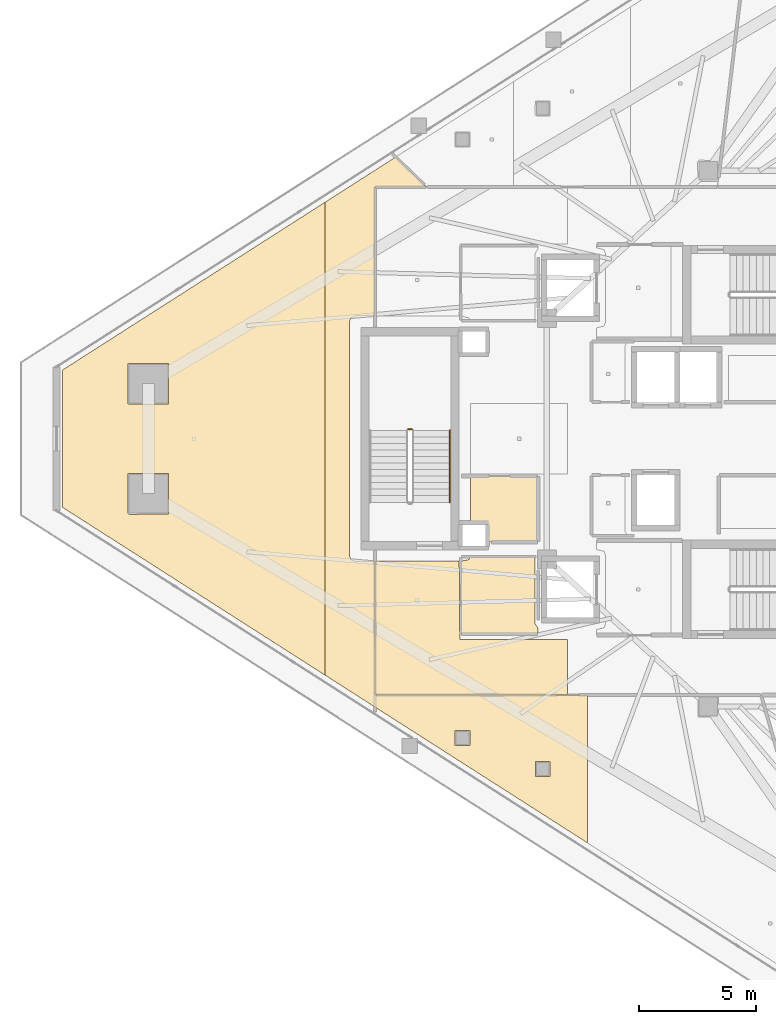
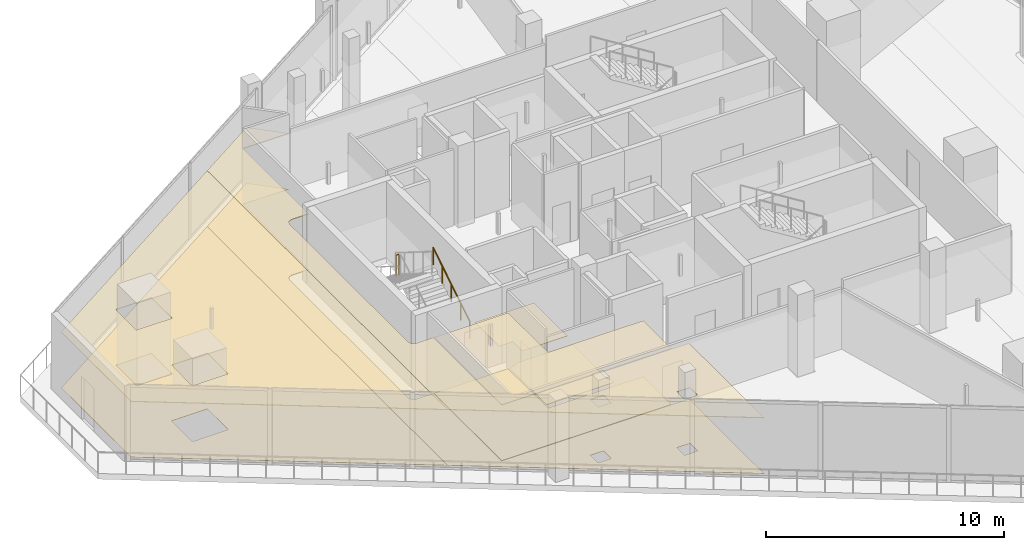
# One storey, part 27 of 31: 8 coverings, 2 railings.
"""IFC4 building model written with IfcOpenShell, lengths in metres."""

from ifc_helpers import new_model, si_unit, direction, frame, origin, origin_2d, place, context, subcontext, project, spatial, polyline, circle, outline, extrude, material, layer, layer_set, type_object, element, save


model = new_model("IFC4")

# Units and contexts
model_context = context("Model", 3, precision=1e-05, world=origin(), true_north=direction((0.0, 1.0)))
body_context = subcontext(model_context, "Body", "Model", "MODEL_VIEW")
ifc_project = project(units=[si_unit("LENGTHUNIT", "METRE"), si_unit("AREAUNIT", "SQUARE_METRE"), si_unit("VOLUMEUNIT", "CUBIC_METRE"), si_unit("PLANEANGLEUNIT", "RADIAN"), si_unit("MASSUNIT", "GRAM", prefix="KILO")], contexts=[model_context])

# Site, building, storey
site_placement = place(None, origin())
site = spatial("IfcSite", under=ifc_project, at=site_placement, CompositionType="ELEMENT")
building_placement = place(site_placement, origin())
building = spatial("IfcBuilding", under=site, at=building_placement, Name="Qorvath Tower", CompositionType="ELEMENT")
storey_placement = place(building_placement, frame((0.0, 0.0, 264.0)))
storey = spatial("IfcBuildingStorey", under=building, at=storey_placement, Name="L61", CompositionType="ELEMENT", Elevation=264.0)

# Coverings
ifc_material_1 = material(Name="Acoustic mineral fibre ceiling tile", Category="gypsum")
ifc_layer_1 = layer(ifc_material_1, 0.030029296875)
ifc_layer_set_1 = layer_set([ifc_layer_1], Name="COV-CEIL")
covering_type_1 = type_object("IfcCoveringType", Name="COV-CEIL", PredefinedType="CEILING", material=ifc_layer_set_1)
covering_1_placement = place(storey_placement, frame((0.0, 0.0, 2.85009765625)))
element("IfcCovering", 1, at=covering_1_placement, inside=storey, type_object=covering_type_1, Name="L61 Suspended Acoustic Ceiling 010", PredefinedType="CEILING", context=body_context, shape_type="SweptSolid", body=[
    extrude(outline(polyline([(-34.22509765625, -8.580078125), (-34.251220703125, -5.239990234375), (-37.844970703125, -5.239990234375), (-37.844970703125, -10.945068359375), (-29.614990234375, -10.945068359375), (-29.614990234375, -8.5771484375), (-34.22509765625, -8.580078125)])), origin(), (0.0, 0.0, 1.0), 0.030029296875),
])
covering_2_placement = place(storey_placement, frame((0.0, 0.0, 2.85009765625)))
element("IfcCovering", 2, at=covering_2_placement, inside=storey, type_object=covering_type_1, Name="L61 Suspended Acoustic Ceiling 013", PredefinedType="CEILING", context=body_context, shape_type="SweptSolid", body=[
    extrude(outline(polyline([(-51.216064453125, -2.934326171875), (-39.9921875, -10.10791015625), (-39.9921875, 10.10791015625), (-51.216064453125, 2.934326171875), (-51.216064453125, -2.934326171875)]), holes=[polyline([(-48.422607421875, -3.174560546875), (-48.405029296875, -1.482177734375), (-46.670166015625, -1.482177734375), (-46.670166015625, -3.217041015625), (-48.362548828125, -3.234619140625), (-48.422607421875, -3.174560546875)]), polyline([(-48.405029296875, 1.482177734375), (-48.405029296875, 3.217041015625), (-46.670166015625, 3.217041015625), (-46.670166015625, 1.482177734375), (-48.405029296875, 1.482177734375)])]), origin(), (0.0, 0.0, 1.0), 0.030029296875),
])
covering_3_placement = place(storey_placement, frame((0.0, 0.0, 2.85009765625)))
element("IfcCovering", 3, at=covering_3_placement, inside=storey, type_object=covering_type_1, Name="L61 Suspended Acoustic Ceiling 014", PredefinedType="CEILING", context=body_context, shape_type="SweptSolid", body=[
    extrude(outline(polyline([(-39.9921875, 10.10791015625), (-39.9921875, -10.10791015625), (-28.768310546875, -17.281494140625), (-28.768310546875, -10.96240234375), (-37.861572265625, -10.96142578125), (-37.863037109375, -5.239990234375), (-38.699951171875, -5.239990234375), (-38.876708984375, -5.166748046875), (-38.949951171875, -4.989990234375), (-38.949951171875, 4.989990234375), (-38.876708984375, 5.166748046875), (-38.699951171875, 5.239990234375), (-37.863037109375, 5.239990234375), (-37.861572265625, 10.761474609375), (-35.652587890625, 10.762939453125), (-36.97265625, 12.037841796875), (-39.9921875, 10.10791015625)]), holes=[polyline([(-30.99462890625, -14.441650390625), (-30.99462890625, -13.806884765625), (-30.35986328125, -13.806884765625), (-30.35986328125, -14.441650390625), (-30.99462890625, -14.441650390625)]), polyline([(-34.421630859375, -13.10986328125), (-34.421630859375, -12.47509765625), (-33.786865234375, -12.47509765625), (-33.786865234375, -13.10986328125), (-34.421630859375, -13.10986328125)])]), origin(), (0.0, 0.0, 1.0), 0.030029296875),
])
ifc_material_2 = material(Name="Low-VOC modular carpet tile", Category="textile")
ifc_layer_2 = layer(ifc_material_2, 0.014892578125)
ifc_layer_set_2 = layer_set([ifc_layer_2], Name="COV-FLOOR-CPT")
covering_type_2 = type_object("IfcCoveringType", Name="COV-FLOOR-CPT", PredefinedType="FLOORING", material=ifc_layer_set_2)
covering_4_placement = place(storey_placement, origin())
element("IfcCovering", 4, at=covering_4_placement, inside=storey, type_object=covering_type_2, Name="L61 Floor Finish 009", PredefinedType="FLOORING", context=body_context, shape_type="SweptSolid", body=[
    extrude(outline(polyline([(-30.885009765625, -4.4150390625), (-30.885009765625, -1.60498046875), (-33.760009765625, -1.60498046875), (-33.760009765625, -3.636962890625), (-33.08837890625, -3.638427734375), (-33.0869140625, -4.4150390625), (-30.885009765625, -4.4150390625)])), origin(), (0.0, 0.0, 1.0), 0.014892578125),
])
covering_5_placement = place(storey_placement, origin())
element("IfcCovering", 5, at=covering_5_placement, inside=storey, type_object=covering_type_2, Name="L61 Floor Finish 013", PredefinedType="FLOORING", context=body_context, shape_type="SweptSolid", body=[
    extrude(outline(polyline([(-51.216064453125, -2.934326171875), (-39.9921875, -10.10791015625), (-39.9921875, 10.10791015625), (-51.216064453125, 2.934326171875), (-51.216064453125, -2.934326171875)]), holes=[polyline([(-48.422607421875, -3.174560546875), (-48.405029296875, -1.482177734375), (-46.670166015625, -1.482177734375), (-46.670166015625, -3.217041015625), (-48.362548828125, -3.234619140625), (-48.422607421875, -3.174560546875)]), polyline([(-48.405029296875, 1.482177734375), (-48.405029296875, 3.217041015625), (-46.670166015625, 3.217041015625), (-46.670166015625, 1.482177734375), (-48.405029296875, 1.482177734375)])]), origin(), (0.0, 0.0, 1.0), 0.014892578125),
])
covering_6_placement = place(storey_placement, origin())
element("IfcCovering", 6, at=covering_6_placement, inside=storey, type_object=covering_type_2, Name="L61 Floor Finish 014", PredefinedType="FLOORING", context=body_context, shape_type="SweptSolid", body=[
    extrude(outline(polyline([(-39.9921875, 10.10791015625), (-39.9921875, -10.10791015625), (-28.768310546875, -17.281494140625), (-28.768310546875, -10.96240234375), (-37.861572265625, -10.96142578125), (-37.863037109375, -5.239990234375), (-38.699951171875, -5.239990234375), (-38.876708984375, -5.166748046875), (-38.949951171875, -4.989990234375), (-38.949951171875, 4.989990234375), (-38.876708984375, 5.166748046875), (-38.699951171875, 5.239990234375), (-37.863037109375, 5.239990234375), (-37.861572265625, 10.761474609375), (-35.652587890625, 10.762939453125), (-36.97265625, 12.037841796875), (-39.9921875, 10.10791015625)]), holes=[polyline([(-30.99462890625, -14.441650390625), (-30.99462890625, -13.806884765625), (-30.35986328125, -13.806884765625), (-30.35986328125, -14.441650390625), (-30.99462890625, -14.441650390625)]), polyline([(-34.421630859375, -13.10986328125), (-34.421630859375, -12.47509765625), (-33.786865234375, -12.47509765625), (-33.786865234375, -13.10986328125), (-34.421630859375, -13.10986328125)])]), origin(), (0.0, 0.0, 1.0), 0.014892578125),
])
ifc_material_3 = material(Name="Polished epoxy terrazzo flooring", Category="concrete")
ifc_layer_3 = layer(ifc_material_3, 0.02001953125)
ifc_layer_set_3 = layer_set([ifc_layer_3], Name="COV-FLOOR-TRZ")
covering_type_3 = type_object("IfcCoveringType", Name="COV-FLOOR-TRZ", PredefinedType="FLOORING", material=ifc_layer_set_3)
covering_7_placement = place(storey_placement, origin())
element("IfcCovering", 7, at=covering_7_placement, inside=storey, type_object=covering_type_3, Name="L61 Floor Finish 008", PredefinedType="FLOORING", context=body_context, shape_type="SweptSolid", body=[
    extrude(outline(polyline([(-30.885009765625, -8.108154296875), (-31.010009765625, -7.909912109375), (-31.010009765625, -5.054931640625), (-33.786865234375, -5.054931640625), (-33.833251953125, -5.166748046875), (-34.175048828125, -5.239990234375), (-34.175048828125, -8.344970703125), (-30.885009765625, -8.344970703125), (-30.885009765625, -8.108154296875)])), origin(), (0.0, 0.0, 1.0), 0.014892578125),
])
covering_8_placement = place(storey_placement, origin())
element("IfcCovering", 8, at=covering_8_placement, inside=storey, type_object=covering_type_3, Name="L61 Floor Finish 010", PredefinedType="FLOORING", context=body_context, shape_type="SweptSolid", body=[
    extrude(outline(polyline([(-34.22509765625, -8.580078125), (-34.251220703125, -5.239990234375), (-37.844970703125, -5.239990234375), (-37.844970703125, -10.945068359375), (-29.614990234375, -10.945068359375), (-29.614990234375, -8.5771484375), (-34.22509765625, -8.580078125)])), origin(), (0.0, 0.0, 1.0), 0.014892578125),
])

# Railings
ifc_material_4 = material(Name="Painted galvanised steel", Category="steel")
railing_type_1 = type_object("IfcRailingType", Name="RL-STR-GRD", PredefinedType="GUARDRAIL", material=ifc_material_4)
railing_1_placement = place(storey_placement, frame((-36.280029296875, 0.409912109375, 2.10009765625)))
element("IfcRailing", 9, at=railing_1_placement, inside=storey, type_object=railing_type_1, Name="L61 TS3 stair guard 2", PredefinedType="GUARDRAIL", context=body_context, shape_type="SweptSolid", body=[
    extrude(circle(Radius=0.02392578125, at=origin_2d()), frame((0.0, 0.0, 1.076171875), z_axis=(-1.0, 0.0, 0.0), x_axis=(0.0, -1.0, 0.0)), (0.0, 0.0, 1.0), 0.14990234375),
    extrude(circle(Radius=0.02099609375, at=origin_2d()), origin(), (0.0, 0.0, 1.0), 1.052001953125),
    extrude(circle(Radius=0.02099609375, at=origin_2d()), frame((-0.14990234375, 0.0, 0.0)), (0.0, 0.0, 1.0), 1.052001953125),
])
ifc_material_5 = material(Name="Brushed stainless steel AISI 304", Category="steel")
railing_type_2 = type_object("IfcRailingType", Name="RL-STR-HND", PredefinedType="HANDRAIL", material=ifc_material_5)
railing_2_placement = place(storey_placement, frame((-34.64990234375, -2.719970703125, 0.175048828125)))
element("IfcRailing", 10, at=railing_2_placement, inside=storey, type_object=railing_type_2, Name="L61 TS3 stair handrail 1", PredefinedType="HANDRAIL", context=body_context, shape_type="SweptSolid", body=[
    extrude(circle(Radius=0.02392578125, at=origin_2d()), frame((0.0, 0.0, 0.8759765625), z_axis=(0.0, 0.847998304005, 0.529998940003), x_axis=(-1.0, 0.0, 0.0)), (0.0, 0.0, 1.0), 3.632080078125),
    extrude(circle(Radius=0.02099609375, at=origin_2d()), origin(), (0.0, 0.0, 1.0), 0.851806640625),
    extrude(circle(Radius=0.02099609375, at=origin_2d()), frame((0.0, 0.77001953125, 0.481201171875)), (0.0, 0.0, 1.0), 0.851806640625),
    extrude(circle(Radius=0.02099609375, at=origin_2d()), frame((0.0, 1.5400390625, 0.96240234375)), (0.0, 0.0, 1.0), 0.851806640625),
    extrude(circle(Radius=0.02099609375, at=origin_2d()), frame((0.0, 2.31005859375, 1.44384765625)), (0.0, 0.0, 1.0), 0.851806640625),
    extrude(circle(Radius=0.02099609375, at=origin_2d()), frame((0.0, 3.080078125, 1.925048828125)), (0.0, 0.0, 1.0), 0.851806640625),
])

save(model, "model.ifc")
